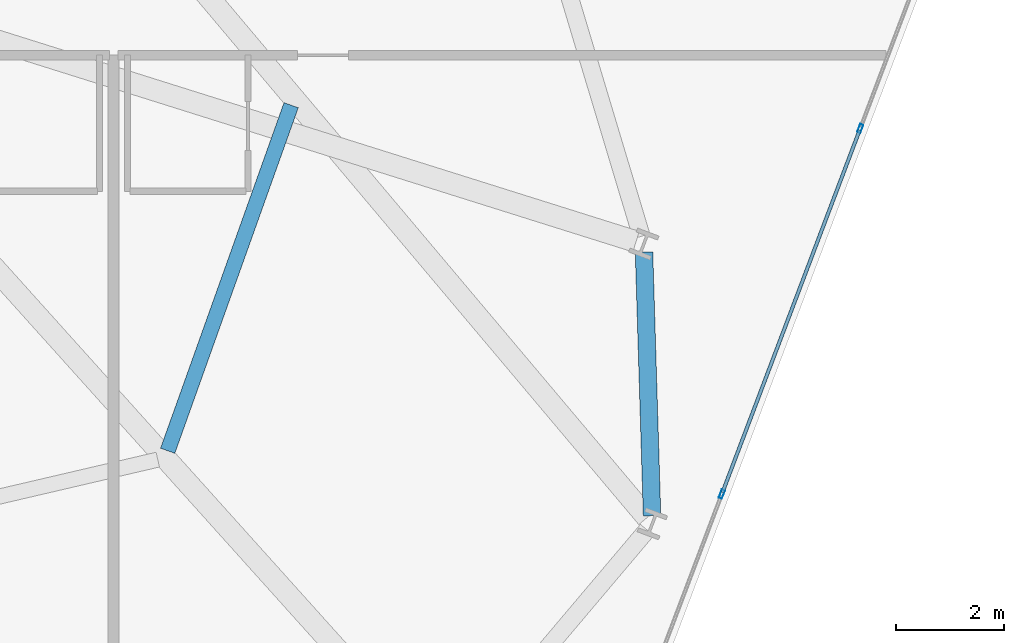
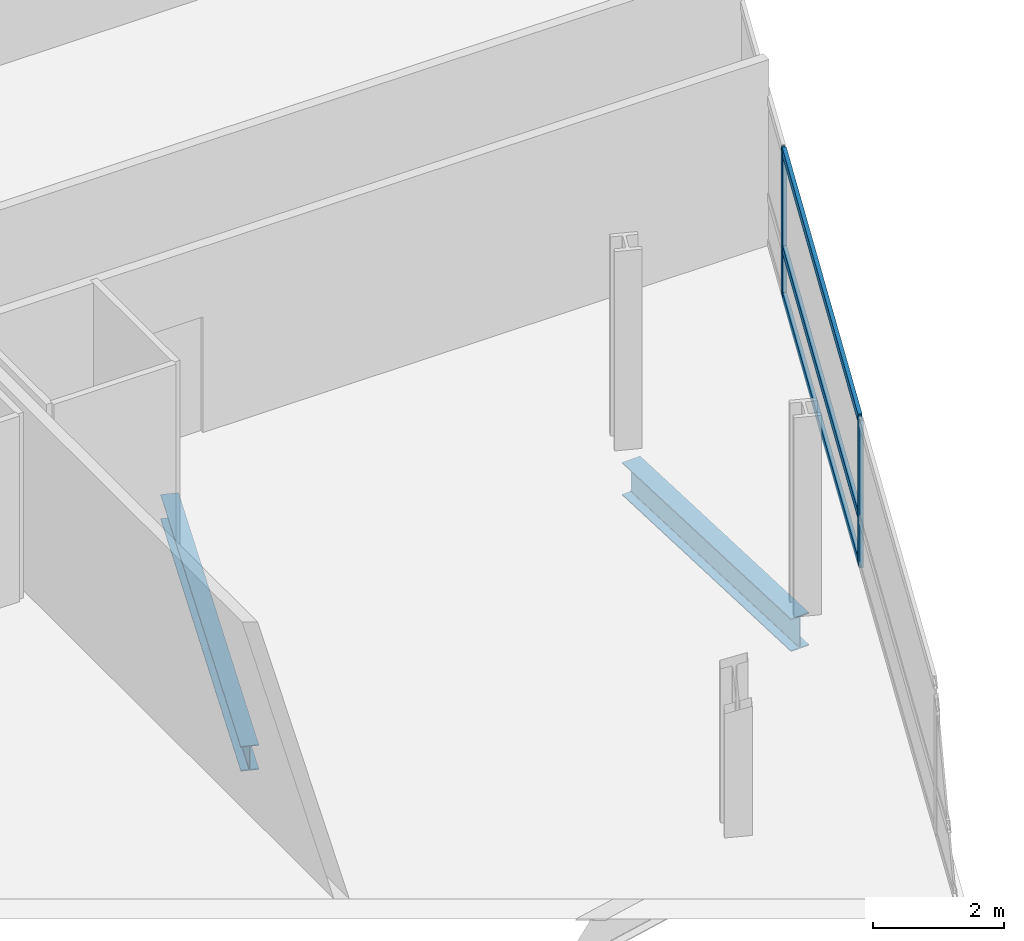
# One storey, part 11 of 25: 5 members, 2 beams, 1 element without a shape of its own.
"""IFC4 building model written with IfcOpenShell, lengths in metres."""

from ifc_helpers import new_model, si_unit, direction, frame, origin, origin_2d, place, context, subcontext, project, spatial, hollow_rectangle, i_section, extrude, material, layer, layer_set, material_profile, profile_set, type_object, element, aggregate, save


model = new_model("IFC4")

# Units and contexts
model_context = context("Model", 3, precision=1e-05, world=origin(), true_north=direction((0.0, 1.0)))
body_context = subcontext(model_context, "Body", "Model", "MODEL_VIEW")
ifc_project = project(units=[si_unit("LENGTHUNIT", "METRE"), si_unit("AREAUNIT", "SQUARE_METRE"), si_unit("VOLUMEUNIT", "CUBIC_METRE"), si_unit("PLANEANGLEUNIT", "RADIAN"), si_unit("MASSUNIT", "GRAM", prefix="KILO")], contexts=[model_context])

# Site, building, storey
site_placement = place(None, origin())
site = spatial("IfcSite", under=ifc_project, at=site_placement, CompositionType="ELEMENT")
building_placement = place(site_placement, origin())
building = spatial("IfcBuilding", under=site, at=building_placement, Name="Varnelok Gate Tower", CompositionType="ELEMENT")
storey_placement = place(building_placement, frame((0.0, 0.0, 79.89990234375)))
storey = spatial("IfcBuildingStorey", under=building, at=storey_placement, Name="L19", CompositionType="ELEMENT", Elevation=79.89990234375)

# Beams
ifc_material_1 = material(Name="Structural Steel ASTM A992 Grade 50", Category="steel")
ifc_material_profile_1 = material_profile(ifc_material_1, i_section(OverallWidth=0.280029296875, OverallDepth=0.462890625, WebThickness=0.0107421875, FlangeThickness=0.017333984375, FilletRadius=0.014892578125, at=origin_2d()), Name="W18X76")
ifc_profile_set_1 = profile_set([ifc_material_profile_1], Name="Structural Steel ASTM A992 Grade 50")
beam_type_1 = type_object("IfcBeamType", Name="BM-JST-W18X76", PredefinedType="JOIST", material=ifc_profile_set_1)
beam_1_placement = place(storey_placement, frame((62.501953125, 9.52490234375, -0.4814453125), z_axis=(0.336427424341, 0.941709396869, 0.0), x_axis=(-0.941709396869, 0.336427424341, 0.0)))
element("IfcBeam", 1, at=beam_1_placement, inside=storey, type_object=beam_type_1, Name="L19 Sector Floor Joist 6", PredefinedType="JOIST", context=body_context, shape_type="SweptSolid", body=[
    extrude(i_section(OverallWidth=0.280029296875, OverallDepth=0.462890625, WebThickness=0.0107421875, FlangeThickness=0.017333984375, FilletRadius=0.014892578125, at=origin_2d()), origin(), (0.0, 0.0, 1.0), 6.796142578125),
])
ifc_material_profile_2 = material_profile(ifc_material_1, i_section(OverallWidth=0.323974609375, OverallDepth=0.611083984375, WebThickness=0.0126953125, FlangeThickness=0.01904296875, FilletRadius=0.01806640625, at=origin_2d()), Name="W24X104")
ifc_profile_set_2 = profile_set([ifc_material_profile_2], Name="Structural Steel ASTM A992 Grade 50")
beam_type_2 = type_object("IfcBeamType", Name="BM-SPN-W24X104", PredefinedType="SPANDREL", material=ifc_profile_set_2)
beam_2_placement = place(storey_placement, frame((71.471923828125, 8.322509765625, -0.555419921875), z_axis=(-0.030393553869, 0.999538009224, 0.0), x_axis=(-0.999538009224, -0.030393553869, 0.0)))
element("IfcBeam", 2, at=beam_2_placement, inside=storey, type_object=beam_type_2, Name="L19 Perimeter Spandrel Beam 7", PredefinedType="SPANDREL", context=body_context, shape_type="SweptSolid", body=[
    extrude(i_section(OverallWidth=0.323974609375, OverallDepth=0.611083984375, WebThickness=0.0126953125, FlangeThickness=0.01904296875, FilletRadius=0.01806640625, at=origin_2d()), origin(), (0.0, 0.0, 1.0), 4.8837890625),
])

# Curtain wall, members
ifc_material_2 = material(Name="Anodized Aluminum Alloy 6063-T6", Category="aluminium")
ifc_layer = layer(ifc_material_2, 0.179931640625)
ifc_layer_set = layer_set([ifc_layer], Name="Anodized Aluminum Alloy 6063-T6")
curtain_wall_type = type_object("IfcCurtainWallType", Name="CW3-HOTEL-VISION", PredefinedType="USERDEFINED", material=ifc_layer_set)
curtain_wall_placement = place(storey_placement, origin())
curtain_wall = element("IfcCurtainWall", 3, at=curtain_wall_placement, inside=storey, type_object=curtain_wall_type, Name="L19 East End Vision Curtain Wall", ObjectType="UNITISED CURTAIN WALL", PredefinedType="USERDEFINED")
ifc_material_profile_3 = material_profile(ifc_material_2, hollow_rectangle(XDim=0.06494140625, YDim=0.159912109375, WallThickness=0.00390625, at=origin_2d()), Name="ALU160X65X4")
ifc_profile_set_3 = profile_set([ifc_material_profile_3], Name="Anodized Aluminum Alloy 6063-T6")
member_type_1 = type_object("IfcMemberType", Name="CW-MULL-160", PredefinedType="MULLION", material=ifc_profile_set_3)
member_1_placement = place(storey_placement, frame((75.328125, 15.4931640625, 0.0), z_axis=(0.0, 0.0, 1.0), x_axis=(0.935221323688, -0.354063660545, 0.0)))
member_1 = element("IfcMember", 4, at=member_1_placement, type_object=member_type_1, Name="CW3 mullion 3", PredefinedType="MULLION", context=body_context, shape_type="SweptSolid", body=[
    extrude(hollow_rectangle(XDim=0.06494140625, YDim=0.159912109375, WallThickness=0.00390625, at=origin_2d()), origin(), (0.0, 0.0, 1.0), 2.72998046875),
])
member_2_placement = place(storey_placement, frame((72.7646484375, 8.72216796875, 0.0), z_axis=(0.0, 0.0, 1.0), x_axis=(0.935221323688, -0.354063660545, 0.0)))
member_2 = element("IfcMember", 5, at=member_2_placement, type_object=member_type_1, Name="CW3 mullion 4", PredefinedType="MULLION", context=body_context, shape_type="SweptSolid", body=[
    extrude(hollow_rectangle(XDim=0.06494140625, YDim=0.159912109375, WallThickness=0.00390625, at=origin_2d()), origin(), (0.0, 0.0, 1.0), 2.72998046875),
])
ifc_material_profile_4 = material_profile(ifc_material_2, hollow_rectangle(XDim=0.06494140625, YDim=0.159912109375, WallThickness=0.00390625, at=origin_2d()), Name="ALU160X65X4")
ifc_profile_set_4 = profile_set([ifc_material_profile_4], Name="Anodized Aluminum Alloy 6063-T6")
member_type_2 = type_object("IfcMemberType", Name="CW-TRAN-160", PredefinedType="USERDEFINED", material=ifc_profile_set_4)
member_3_placement = place(storey_placement, frame((75.316650390625, 15.462646484375, 0.03271484375), z_axis=(-0.354078724634, -0.935215620465, 0.0), x_axis=(0.935215620465, -0.354078724634, 0.0)))
member_3 = element("IfcMember", 6, at=member_3_placement, type_object=member_type_2, Name="CW3 transom 3.1", ObjectType="TRANSOM", PredefinedType="USERDEFINED", context=body_context, shape_type="SweptSolid", body=[
    extrude(hollow_rectangle(XDim=0.06494140625, YDim=0.159912109375, WallThickness=0.00390625, at=origin_2d()), origin(), (0.0, 0.0, 1.0), 7.175048828125),
])
member_4_placement = place(storey_placement, frame((75.316650390625, 15.462646484375, 0.900146484375), z_axis=(-0.354078724634, -0.935215620465, 0.0), x_axis=(0.935215620465, -0.354078724634, 0.0)))
member_4 = element("IfcMember", 7, at=member_4_placement, type_object=member_type_2, Name="CW3 transom 3.2", ObjectType="TRANSOM", PredefinedType="USERDEFINED", context=body_context, shape_type="SweptSolid", body=[
    extrude(hollow_rectangle(XDim=0.06494140625, YDim=0.159912109375, WallThickness=0.00390625, at=origin_2d()), origin(), (0.0, 0.0, 1.0), 7.175048828125),
])
member_5_placement = place(storey_placement, frame((75.316650390625, 15.462646484375, 2.697509765625), z_axis=(-0.354078724634, -0.935215620465, 0.0), x_axis=(0.935215620465, -0.354078724634, 0.0)))
member_5 = element("IfcMember", 8, at=member_5_placement, type_object=member_type_2, Name="CW3 transom 3.3", ObjectType="TRANSOM", PredefinedType="USERDEFINED", context=body_context, shape_type="SweptSolid", body=[
    extrude(hollow_rectangle(XDim=0.06494140625, YDim=0.159912109375, WallThickness=0.00390625, at=origin_2d()), origin(), (0.0, 0.0, 1.0), 7.175048828125),
])
aggregate(curtain_wall, [member_1, member_2, member_3, member_4, member_5])

save(model, "model.ifc")
